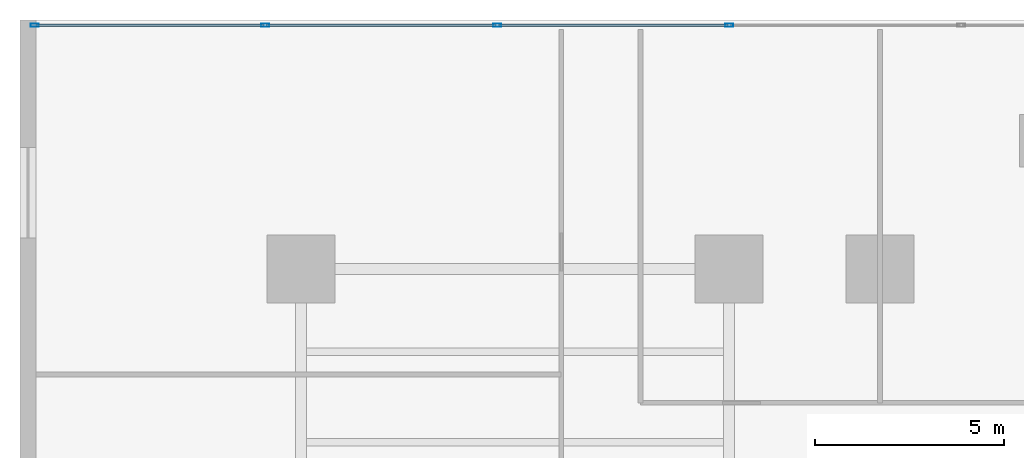
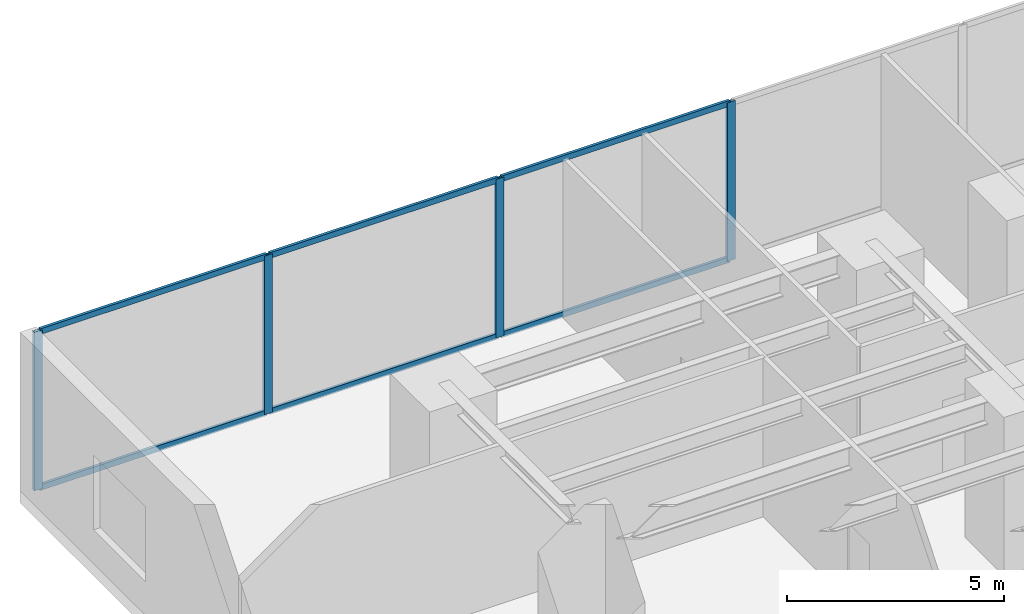
# One storey, part 3 of 16: 10 members, 1 element without a shape of its own.
"""IFC4 building model written with IfcOpenShell, lengths in metres."""

from ifc_helpers import new_model, si_unit, direction, frame, origin, origin_with_axes, origin_2d, place, context, subcontext, project, spatial, hollow_rectangle, extrude, source, transform, mapped, material, layer, layer_set, material_profile, profile_set, type_object, element, aggregate, save


model = new_model("IFC4")

# Units and contexts
model_context = context("Model", 3, precision=1e-05, world=origin(), true_north=direction((0.0, 1.0)))
body_context = subcontext(model_context, "Body", "Model", "MODEL_VIEW")
ifc_project = project(units=[si_unit("LENGTHUNIT", "METRE"), si_unit("AREAUNIT", "SQUARE_METRE"), si_unit("VOLUMEUNIT", "CUBIC_METRE"), si_unit("PLANEANGLEUNIT", "RADIAN"), si_unit("MASSUNIT", "GRAM", prefix="KILO")], contexts=[model_context])

# Site, building, storey
site_placement = place(None, origin())
site = spatial("IfcSite", under=ifc_project, at=site_placement, CompositionType="ELEMENT")
building_placement = place(site_placement, origin())
building = spatial("IfcBuilding", under=site, at=building_placement, Name="Kolvaren Waterfront Exchange", CompositionType="ELEMENT")
storey_placement = place(building_placement, frame((0.0, 0.0, 15.199951171875)))
storey = spatial("IfcBuildingStorey", under=building, at=storey_placement, Name="L04", CompositionType="ELEMENT", Elevation=15.199951171875)

# Curtain wall, members
ifc_material_1 = material(Name="Anodised bronze aluminium 6063-T6", Category="aluminium")
ifc_layer = layer(ifc_material_1, 0.219970703125, Name="Anodised bronze aluminium 6063-T6")
ifc_layer_set = layer_set([ifc_layer], Name="Anodised bronze aluminium 6063-T6")
curtain_wall_type = type_object("IfcCurtainWallType", Name="ARC-CW-SYS1", PredefinedType="USERDEFINED", material=ifc_layer_set)
curtain_wall_placement = place(storey_placement, origin())
curtain_wall = element("IfcCurtainWall", 1, at=curtain_wall_placement, inside=storey, type_object=curtain_wall_type, Name="L04 stick curtain wall CW1 (CW-L04-N2)", ObjectType="STICK CURTAIN WALL", PredefinedType="USERDEFINED")
ifc_material_2 = material(Name="Anodised aluminium 6063-T6", Category="aluminium")
ifc_material_profile_1 = material_profile(ifc_material_2, hollow_rectangle(XDim=0.080078125, YDim=0.219970703125, WallThickness=0.0048828125, at=origin_2d()), Name="ALU-MUL-220x80x5")
ifc_profile_set_1 = profile_set([ifc_material_profile_1], Name="Anodised aluminium 6063-T6")
member_type_1 = type_object("IfcMemberType", Name="ARC-CWM-220", PredefinedType="MULLION", material=ifc_profile_set_1)
shared_shape_1 = source(origin_with_axes(), body_context, "Body", "SweptSolid", [
    extrude(hollow_rectangle(XDim=0.080078125, YDim=0.219970703125, WallThickness=0.0048828125, at=origin_2d()), origin(), (0.0, 0.0, 1.0), 4.4599609375),
])
member_1_placement = place(storey_placement, frame((18.804931640625, 51.06005859375, 0.0), z_axis=(0.0, 0.0, 1.0), x_axis=(0.0, -1.0, 0.0)))
member_1 = element("IfcMember", 2, at=member_1_placement, type_object=member_type_1, Name="CW1 mullion 4", PredefinedType="MULLION", context=body_context, shape_type="MappedRepresentation", body=[
    mapped(shared_shape_1, transform((0.0, 0.0, 0.0), x_axis=(1.0, 0.0, 0.0), y_axis=(0.0, 1.0, 0.0), z_axis=(0.0, 0.0, 1.0), scale=1.0)),
])
member_2_placement = place(storey_placement, frame((12.6533203125, 51.06005859375, 0.0), z_axis=(0.0, 0.0, 1.0), x_axis=(0.0, -1.0, 0.0)))
member_2 = element("IfcMember", 3, at=member_2_placement, type_object=member_type_1, Name="CW1 mullion 5", PredefinedType="MULLION", context=body_context, shape_type="MappedRepresentation", body=[
    mapped(shared_shape_1, transform((0.0, 0.0, 0.0), x_axis=(1.0, 0.0, 0.0), y_axis=(0.0, 1.0, 0.0), z_axis=(0.0, 0.0, 1.0), scale=1.0)),
])
member_3_placement = place(storey_placement, frame((6.501708984375, 51.06005859375, 0.0), z_axis=(0.0, 0.0, 1.0), x_axis=(0.0, -1.0, 0.0)))
member_3 = element("IfcMember", 4, at=member_3_placement, type_object=member_type_1, Name="CW1 mullion 6", PredefinedType="MULLION", context=body_context, shape_type="MappedRepresentation", body=[
    mapped(shared_shape_1, transform((0.0, 0.0, 0.0), x_axis=(1.0, 0.0, 0.0), y_axis=(0.0, 1.0, 0.0), z_axis=(0.0, 0.0, 1.0), scale=1.0)),
])
member_4_placement = place(storey_placement, frame((0.389892578125, 51.06005859375, 0.0), z_axis=(0.0, 0.0, 1.0), x_axis=(0.0, -1.0, 0.0)))
member_4 = element("IfcMember", 5, at=member_4_placement, type_object=member_type_1, Name="CW1 mullion 7", PredefinedType="MULLION", context=body_context, shape_type="MappedRepresentation", body=[
    mapped(shared_shape_1, transform((0.0, 0.0, 0.0), x_axis=(1.0, 0.0, 0.0), y_axis=(0.0, 1.0, 0.0), z_axis=(0.0, 0.0, 1.0), scale=1.0)),
])
ifc_material_profile_2 = material_profile(ifc_material_2, hollow_rectangle(XDim=0.074951171875, YDim=0.159912109375, WallThickness=0.00439453125, at=origin_2d()), Name="ALU-TRN-160x75x4.5")
ifc_profile_set_2 = profile_set([ifc_material_profile_2], Name="Anodised aluminium 6063-T6")
member_type_2 = type_object("IfcMemberType", Name="ARC-CWT-160", PredefinedType="USERDEFINED", material=ifc_profile_set_2)
shared_shape_2 = source(origin_with_axes(), body_context, "Body", "SweptSolid", [
    extrude(hollow_rectangle(XDim=0.074951171875, YDim=0.159912109375, WallThickness=0.00439453125, at=origin_2d()), origin(), (0.0, 0.0, 1.0), 6.071533203125),
])
member_5_placement = place(storey_placement, frame((18.764892578125, 51.06005859375, 0.03759765625), z_axis=(-1.0, 0.0, 0.0), x_axis=(0.0, -1.0, 0.0)))
member_5 = element("IfcMember", 6, at=member_5_placement, type_object=member_type_2, Name="CW1 transom 4.1", ObjectType="TRANSOM", PredefinedType="USERDEFINED", context=body_context, shape_type="MappedRepresentation", body=[
    mapped(shared_shape_2, transform((0.0, 0.0, 0.0), x_axis=(1.0, 0.0, 0.0), y_axis=(0.0, 1.0, 0.0), z_axis=(0.0, 0.0, 1.0), scale=1.0)),
])
member_6_placement = place(storey_placement, frame((18.764892578125, 51.06005859375, 4.422607421875), z_axis=(-1.0, 0.0, 0.0), x_axis=(0.0, -1.0, 0.0)))
member_6 = element("IfcMember", 7, at=member_6_placement, type_object=member_type_2, Name="CW1 transom 4.2", ObjectType="TRANSOM", PredefinedType="USERDEFINED", context=body_context, shape_type="MappedRepresentation", body=[
    mapped(shared_shape_2, transform((0.0, 0.0, 0.0), x_axis=(1.0, 0.0, 0.0), y_axis=(0.0, 1.0, 0.0), z_axis=(0.0, 0.0, 1.0), scale=1.0)),
])
member_7_placement = place(storey_placement, frame((12.61328125, 51.06005859375, 0.03759765625), z_axis=(-1.0, 0.0, 0.0), x_axis=(0.0, -1.0, 0.0)))
member_7 = element("IfcMember", 8, at=member_7_placement, type_object=member_type_2, Name="CW1 transom 5.1", ObjectType="TRANSOM", PredefinedType="USERDEFINED", context=body_context, shape_type="MappedRepresentation", body=[
    mapped(shared_shape_2, transform((0.0, 0.0, 0.0), x_axis=(1.0, 0.0, 0.0), y_axis=(0.0, 1.0, 0.0), z_axis=(0.0, 0.0, 1.0), scale=1.0)),
])
member_8_placement = place(storey_placement, frame((12.61328125, 51.06005859375, 4.422607421875), z_axis=(-1.0, 0.0, 0.0), x_axis=(0.0, -1.0, 0.0)))
member_8 = element("IfcMember", 9, at=member_8_placement, type_object=member_type_2, Name="CW1 transom 5.2", ObjectType="TRANSOM", PredefinedType="USERDEFINED", context=body_context, shape_type="MappedRepresentation", body=[
    mapped(shared_shape_2, transform((0.0, 0.0, 0.0), x_axis=(1.0, 0.0, 0.0), y_axis=(0.0, 1.0, 0.0), z_axis=(0.0, 0.0, 1.0), scale=1.0)),
])
shared_shape_3 = source(origin_with_axes(), body_context, "Body", "SweptSolid", [
    extrude(hollow_rectangle(XDim=0.074951171875, YDim=0.159912109375, WallThickness=0.00439453125, at=origin_2d()), origin(), (0.0, 0.0, 1.0), 6.03173828125),
])
member_9_placement = place(storey_placement, frame((6.461669921875, 51.06005859375, 0.03759765625), z_axis=(-1.0, 0.0, 0.0), x_axis=(0.0, -1.0, 0.0)))
member_9 = element("IfcMember", 10, at=member_9_placement, type_object=member_type_2, Name="CW1 transom 6.1", ObjectType="TRANSOM", PredefinedType="USERDEFINED", context=body_context, shape_type="MappedRepresentation", body=[
    mapped(shared_shape_3, transform((0.0, 0.0, 0.0), x_axis=(1.0, 0.0, 0.0), y_axis=(0.0, 1.0, 0.0), z_axis=(0.0, 0.0, 1.0), scale=1.0)),
])
member_10_placement = place(storey_placement, frame((6.461669921875, 51.06005859375, 4.422607421875), z_axis=(-1.0, 0.0, 0.0), x_axis=(0.0, -1.0, 0.0)))
member_10 = element("IfcMember", 11, at=member_10_placement, type_object=member_type_2, Name="CW1 transom 6.2", ObjectType="TRANSOM", PredefinedType="USERDEFINED", context=body_context, shape_type="MappedRepresentation", body=[
    mapped(shared_shape_3, transform((0.0, 0.0, 0.0), x_axis=(1.0, 0.0, 0.0), y_axis=(0.0, 1.0, 0.0), z_axis=(0.0, 0.0, 1.0), scale=1.0)),
])
aggregate(curtain_wall, [member_1, member_2, member_3, member_4, member_5, member_6, member_7, member_8, member_9, member_10])

save(model, "model.ifc")
